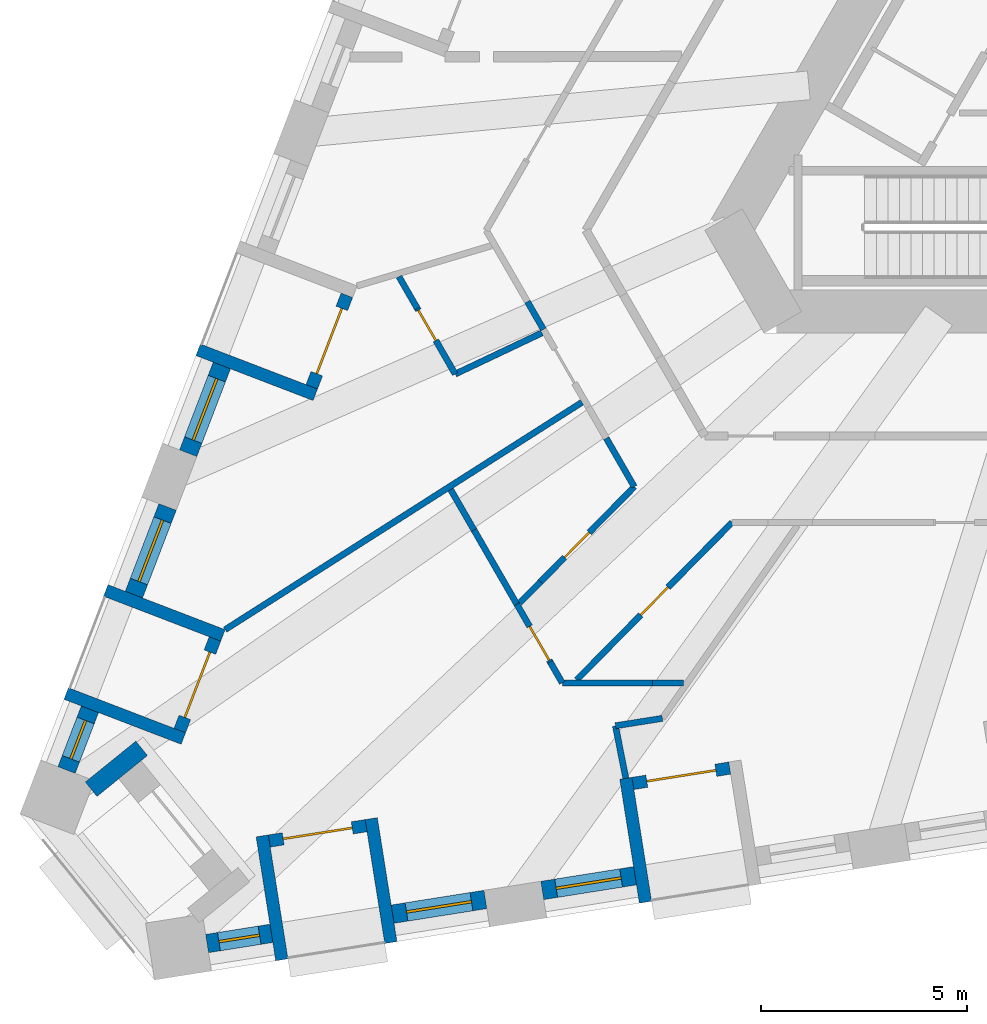
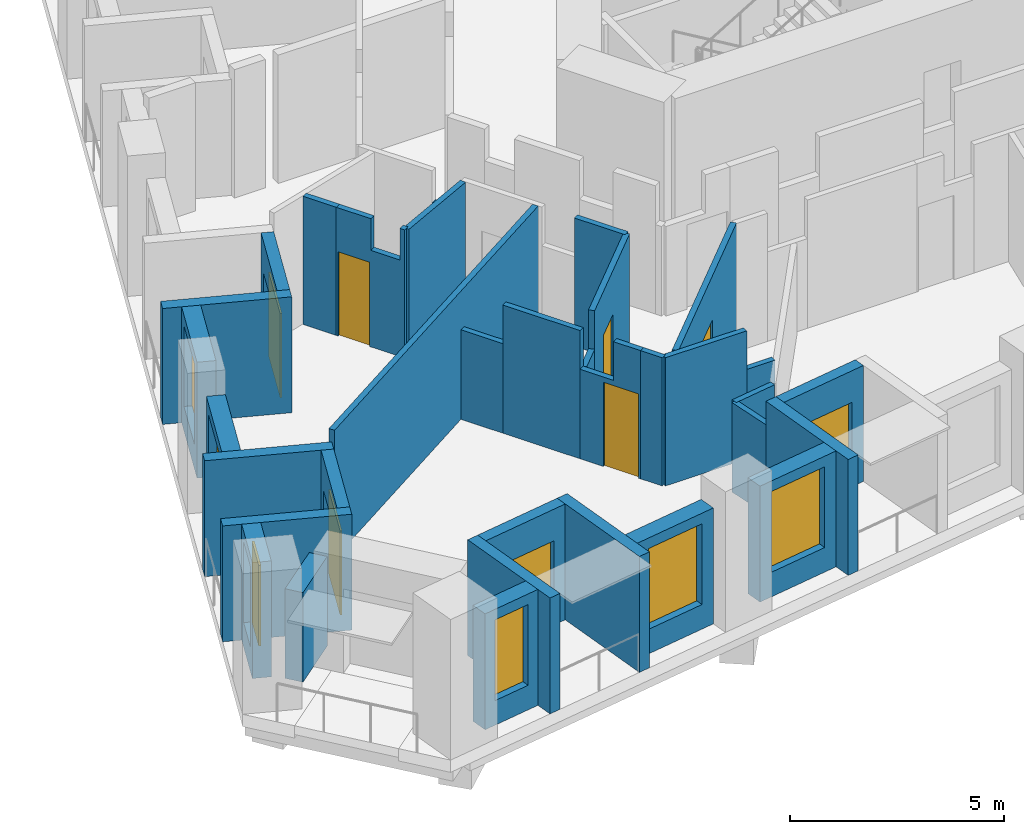
# One storey, part 2 of 14: 34 walls, 8 doors, 6 windows, 14 openings.
"""IFC4 building model written with IfcOpenShell, lengths in metres."""

from ifc_helpers import new_model, si_unit, direction, frame, frame_2d, origin, place, context, subcontext, project, spatial, polyline, rectangle, outline, extrude, material, layer, layer_set, type_object, element, fill, save


model = new_model("IFC4")

# Units and contexts
model_context = context("Model", 3, precision=1e-05, world=origin(), true_north=direction((0.0, 1.0)))
body_context = subcontext(model_context, "Body", "Model", "MODEL_VIEW")
ifc_project = project(units=[si_unit("LENGTHUNIT", "METRE"), si_unit("AREAUNIT", "SQUARE_METRE"), si_unit("VOLUMEUNIT", "CUBIC_METRE"), si_unit("PLANEANGLEUNIT", "RADIAN"), si_unit("MASSUNIT", "GRAM", prefix="KILO")], contexts=[model_context])

# Site, building, storey
site_placement = place(None, origin())
site = spatial("IfcSite", under=ifc_project, at=site_placement, CompositionType="ELEMENT")
building_placement = place(site_placement, origin())
building = spatial("IfcBuilding", under=site, at=building_placement, Name="Tramontana Tower", CompositionType="ELEMENT")
storey_placement = place(building_placement, frame((0.0, 0.0, 63.199951171875)))
storey = spatial("IfcBuildingStorey", under=building, at=storey_placement, Name="L13", CompositionType="ELEMENT", Elevation=63.199951171875)

# Wall, opening, window
ifc_material_1 = material(Name="Precast concrete 60 MPa", Category="concrete")
ifc_layer_1 = layer(ifc_material_1, 0.449951171875)
ifc_layer_set_1 = layer_set([ifc_layer_1], Name="Precast concrete 60 MPa, 450 mm")
wall_type_1 = type_object("IfcWallType", Name="EW1 Stone-faced precast wall 450", PredefinedType="SOLIDWALL", material=ifc_layer_set_1)
wall_1_placement = place(storey_placement, frame((-21.986083984375, -7.536376953125, 0.0), z_axis=(0.0, 0.0, 1.0), x_axis=(-0.358355550725, -0.933585185864, 0.0)))
wall_1 = element("IfcWall", 1, at=wall_1_placement, inside=storey, type_object=wall_type_1, Name="External wall L13 face 0 bay 5", PredefinedType="SOLIDWALL", context=body_context, shape_type="SweptSolid", body=[
    extrude(rectangle(XDim=2.282958984375, YDim=0.449951171875, at=frame_2d((1.1416015625, 0.0))), origin(), (0.0, 0.0, 1.0), 3.300048828125),
])
opening_1_placement = place(wall_1_placement, frame((0.341552734375, 0.0, 0.699951171875)))
opening_1 = element("IfcOpeningElement", 2, at=opening_1_placement, cuts=wall_1, Name="Opening M1", PredefinedType="OPENING", context=body_context, shape_type="SweptSolid", body=[
    extrude(rectangle(XDim=1.60009765625, YDim=2.300048828125, at=frame_2d((0.800048828125, 1.14990234375))), frame((0.0, 0.23486328125, 0.0), z_axis=(0.0, -1.0, 0.0), x_axis=(1.0, 0.0, 0.0)), (0.0, 0.0, 1.0), 0.469970703125),
])
ifc_material_2 = material(Name="Aluminum frame, double glazing unit", Category="aluminium")
window_type_1 = type_object("IfcWindowType", Name="M1 Window 1.6 x 2.3", PartitioningType="SINGLE_PANEL", PredefinedType="WINDOW", material=ifc_material_2)
window_1_placement = place(opening_1_placement, origin())
window_1 = element("IfcWindow", 3, at=window_1_placement, inside=storey, type_object=window_type_1, Name="Window M1 L13 face 0 module 15", OverallHeight=2.300048828125, OverallWidth=1.60009765625, PartitioningType="SINGLE_PANEL", PredefinedType="WINDOW", context=body_context, shape_type="SweptSolid", body=[
    extrude(rectangle(XDim=1.60009765625, YDim=2.300048828125, at=frame_2d((0.800048828125, 1.14990234375))), frame((0.0, 0.030029296875, 0.0), z_axis=(0.0, -1.0, 0.0), x_axis=(1.0, 0.0, 0.0)), (0.0, 0.0, 1.0), 0.06005859375),
])
fill(opening_1, window_1)

wall_2_placement = place(storey_placement, frame((-23.305908203125, -10.974609375, 0.0), z_axis=(0.0, 0.0, 1.0), x_axis=(-0.358355550725, -0.933585185864, 0.0)))
wall_2 = element("IfcWall", 4, at=wall_2_placement, inside=storey, type_object=wall_type_1, Name="External wall L13 face 0 bay 6", PredefinedType="SOLIDWALL", context=body_context, shape_type="SweptSolid", body=[
    extrude(rectangle(XDim=2.282958984375, YDim=0.449951171875, at=frame_2d((1.1416015625, 0.0))), origin(), (0.0, 0.0, 1.0), 3.300048828125),
])
opening_2_placement = place(wall_2_placement, frame((0.341552734375, 0.0, 0.699951171875)))
opening_2 = element("IfcOpeningElement", 5, at=opening_2_placement, cuts=wall_2, Name="Opening M1", PredefinedType="OPENING", context=body_context, shape_type="SweptSolid", body=[
    extrude(rectangle(XDim=1.60009765625, YDim=2.300048828125, at=frame_2d((0.800048828125, 1.14990234375))), frame((0.0, 0.23486328125, 0.0), z_axis=(0.0, -1.0, 0.0), x_axis=(1.0, 0.0, 0.0)), (0.0, 0.0, 1.0), 0.469970703125),
])
window_2_placement = place(opening_2_placement, origin())
window_2 = element("IfcWindow", 6, at=window_2_placement, inside=storey, type_object=window_type_1, Name="Window M1 L13 face 0 module 16", OverallHeight=2.300048828125, OverallWidth=1.60009765625, PartitioningType="SINGLE_PANEL", PredefinedType="WINDOW", context=body_context, shape_type="SweptSolid", body=[
    extrude(rectangle(XDim=1.60009765625, YDim=2.300048828125, at=frame_2d((0.800048828125, 1.14990234375))), frame((0.0, 0.030029296875, 0.0), z_axis=(0.0, -1.0, 0.0), x_axis=(1.0, 0.0, 0.0)), (0.0, 0.0, 1.0), 0.06005859375),
])
fill(opening_2, window_2)

wall_3_placement = place(storey_placement, frame((-25.193115234375, -15.890869140625, 0.0), z_axis=(0.0, 0.0, 1.0), x_axis=(-0.358431261356, -0.933556120907, 0.0)))
wall_3 = element("IfcWall", 7, at=wall_3_placement, inside=storey, type_object=wall_type_1, Name="External wall L13 face 0 bay 6", PredefinedType="SOLIDWALL", context=body_context, shape_type="SweptSolid", body=[
    extrude(rectangle(XDim=1.5830078125, YDim=0.449951171875, at=frame_2d((0.79150390625, 0.0))), origin(), (0.0, 0.0, 1.0), 3.300048828125),
])
opening_3_placement = place(wall_3_placement, frame((0.29150390625, 0.0, 0.699951171875)))
opening_3 = element("IfcOpeningElement", 8, at=opening_3_placement, cuts=wall_3, Name="Opening N1", PredefinedType="OPENING", context=body_context, shape_type="SweptSolid", body=[
    extrude(rectangle(XDim=1.0, YDim=2.300048828125, at=frame_2d((0.5, 1.14990234375))), frame((0.0, 0.23486328125, 0.0), z_axis=(0.0, -1.0, 0.0), x_axis=(1.0, 0.0, 0.0)), (0.0, 0.0, 1.0), 0.469970703125),
])
ifc_material_3 = material(Name="Aluminum frame, double glazing unit", Category="aluminium")
window_type_2 = type_object("IfcWindowType", Name="N1 Window 1 x 2.3", PartitioningType="SINGLE_PANEL", PredefinedType="WINDOW", material=ifc_material_3)
window_3_placement = place(opening_3_placement, origin())
window_3 = element("IfcWindow", 9, at=window_3_placement, inside=storey, type_object=window_type_2, Name="Window N1 L13 face 0 module 18", OverallHeight=2.300048828125, OverallWidth=1.0, PartitioningType="SINGLE_PANEL", PredefinedType="WINDOW", context=body_context, shape_type="SweptSolid", body=[
    extrude(rectangle(XDim=1.0, YDim=2.300048828125, at=frame_2d((0.5, 1.14990234375))), frame((0.0, 0.030029296875, 0.0), z_axis=(0.0, -1.0, 0.0), x_axis=(1.0, 0.0, 0.0)), (0.0, 0.0, 1.0), 0.06005859375),
])
fill(opening_3, window_3)

wall_4_placement = place(storey_placement, frame((-22.344970703125, -21.586181640625, 0.0), z_axis=(0.0, 0.0, 1.0), x_axis=(0.987695344573, 0.156390237257, 0.0)))
wall_4 = element("IfcWall", 10, at=wall_4_placement, inside=storey, type_object=wall_type_1, Name="External wall L13 face 1 bay 1", PredefinedType="SOLIDWALL", context=body_context, shape_type="SweptSolid", body=[
    extrude(rectangle(XDim=1.5830078125, YDim=0.449951171875, at=frame_2d((0.79150390625, 0.0))), origin(), (0.0, 0.0, 1.0), 3.300048828125),
])
opening_4_placement = place(wall_4_placement, frame((0.29150390625, 0.0, 0.699951171875)))
opening_4 = element("IfcOpeningElement", 11, at=opening_4_placement, cuts=wall_4, Name="Opening N1", PredefinedType="OPENING", context=body_context, shape_type="SweptSolid", body=[
    extrude(rectangle(XDim=1.0, YDim=2.300048828125, at=frame_2d((0.5, 1.14990234375))), frame((0.0, 0.23486328125, 0.0), z_axis=(0.0, -1.0, 0.0), x_axis=(1.0, 0.0, 0.0)), (0.0, 0.0, 1.0), 0.469970703125),
])
window_4_placement = place(opening_4_placement, origin())
window_4 = element("IfcWindow", 12, at=window_4_placement, inside=storey, type_object=window_type_2, Name="Window N1 L13 face 1 module 1", OverallHeight=2.300048828125, OverallWidth=1.0, PartitioningType="SINGLE_PANEL", PredefinedType="WINDOW", context=body_context, shape_type="SweptSolid", body=[
    extrude(rectangle(XDim=1.0, YDim=2.300048828125, at=frame_2d((0.5, 1.14990234375))), frame((0.0, 0.030029296875, 0.0), z_axis=(0.0, -1.0, 0.0), x_axis=(1.0, 0.0, 0.0)), (0.0, 0.0, 1.0), 0.06005859375),
])
fill(opening_4, window_4)

wall_5_placement = place(storey_placement, frame((-17.835205078125, -20.8720703125, 0.0), z_axis=(0.0, 0.0, 1.0), x_axis=(0.987685675151, 0.156451293065, 0.0)))
wall_5 = element("IfcWall", 13, at=wall_5_placement, inside=storey, type_object=wall_type_1, Name="External wall L13 face 1 bay 1", PredefinedType="SOLIDWALL", context=body_context, shape_type="SweptSolid", body=[
    extrude(rectangle(XDim=2.282958984375, YDim=0.449951171875, at=frame_2d((1.1416015625, 0.0))), origin(), (0.0, 0.0, 1.0), 3.300048828125),
])
opening_5_placement = place(wall_5_placement, frame((0.341552734375, 0.0, 0.699951171875)))
opening_5 = element("IfcOpeningElement", 14, at=opening_5_placement, cuts=wall_5, Name="Opening M1", PredefinedType="OPENING", context=body_context, shape_type="SweptSolid", body=[
    extrude(rectangle(XDim=1.60009765625, YDim=2.300048828125, at=frame_2d((0.800048828125, 1.14990234375))), frame((0.0, 0.23486328125, 0.0), z_axis=(0.0, -1.0, 0.0), x_axis=(1.0, 0.0, 0.0)), (0.0, 0.0, 1.0), 0.469970703125),
])
window_5_placement = place(opening_5_placement, origin())
window_5 = element("IfcWindow", 15, at=window_5_placement, inside=storey, type_object=window_type_1, Name="Window M1 L13 face 1 module 3", OverallHeight=2.300048828125, OverallWidth=1.60009765625, PartitioningType="SINGLE_PANEL", PredefinedType="WINDOW", context=body_context, shape_type="SweptSolid", body=[
    extrude(rectangle(XDim=1.60009765625, YDim=2.300048828125, at=frame_2d((0.800048828125, 1.14990234375))), frame((0.0, 0.030029296875, 0.0), z_axis=(0.0, -1.0, 0.0), x_axis=(1.0, 0.0, 0.0)), (0.0, 0.0, 1.0), 0.06005859375),
])
fill(opening_5, window_5)

wall_6_placement = place(storey_placement, frame((-14.19775390625, -20.2958984375, 0.0), z_axis=(0.0, 0.0, 1.0), x_axis=(0.987685675151, 0.156451293065, 0.0)))
wall_6 = element("IfcWall", 16, at=wall_6_placement, inside=storey, type_object=wall_type_1, Name="External wall L13 face 1 bay 2", PredefinedType="SOLIDWALL", context=body_context, shape_type="SweptSolid", body=[
    extrude(rectangle(XDim=2.282958984375, YDim=0.449951171875, at=frame_2d((1.1416015625, 0.0))), origin(), (0.0, 0.0, 1.0), 3.300048828125),
])
opening_6_placement = place(wall_6_placement, frame((0.341552734375, 0.0, 0.699951171875)))
opening_6 = element("IfcOpeningElement", 17, at=opening_6_placement, cuts=wall_6, Name="Opening M1", PredefinedType="OPENING", context=body_context, shape_type="SweptSolid", body=[
    extrude(rectangle(XDim=1.60009765625, YDim=2.300048828125, at=frame_2d((0.800048828125, 1.14990234375))), frame((0.0, 0.23486328125, 0.0), z_axis=(0.0, -1.0, 0.0), x_axis=(1.0, 0.0, 0.0)), (0.0, 0.0, 1.0), 0.469970703125),
])
window_6_placement = place(opening_6_placement, origin())
window_6 = element("IfcWindow", 18, at=window_6_placement, inside=storey, type_object=window_type_1, Name="Window M1 L13 face 1 module 4", OverallHeight=2.300048828125, OverallWidth=1.60009765625, PartitioningType="SINGLE_PANEL", PredefinedType="WINDOW", context=body_context, shape_type="SweptSolid", body=[
    extrude(rectangle(XDim=1.60009765625, YDim=2.300048828125, at=frame_2d((0.800048828125, 1.14990234375))), frame((0.0, 0.030029296875, 0.0), z_axis=(0.0, -1.0, 0.0), x_axis=(1.0, 0.0, 0.0)), (0.0, 0.0, 1.0), 0.06005859375),
])
fill(opening_6, window_6)

# Wall
wall_7_placement = place(storey_placement, frame((-25.162841796875, -17.835205078125, 0.0), z_axis=(0.0, 0.0, 1.0), x_axis=(0.777129655516, 0.629340526677, 0.0)))
element("IfcWall", 19, at=wall_7_placement, inside=storey, type_object=wall_type_1, Name="Corner loggia side wall L13 K11r", PredefinedType="SOLIDWALL", context=body_context, shape_type="SweptSolid", body=[
    extrude(rectangle(XDim=1.579345703125, YDim=0.449951171875, at=frame_2d((0.78955078125, 0.0))), origin(), (0.0, 0.0, 1.0), 2.550048828125),
])

# Wall, opening, door
ifc_material_4 = material(Name="Precast concrete 60 MPa", Category="concrete")
ifc_layer_2 = layer(ifc_material_4, 0.300048828125)
ifc_layer_set_2 = layer_set([ifc_layer_2], Name="LW1 Stone-faced loggia wall 300")
wall_type_2 = type_object("IfcWallType", Name="LW1 Stone-faced loggia wall 300", PredefinedType="SOLIDWALL", material=ifc_layer_set_2)
wall_8_placement = place(storey_placement, frame((-18.947265625, -5.828857421875, 0.0), z_axis=(0.0, 0.0, 1.0), x_axis=(-0.358354292693, -0.933585668757, 0.0)))
wall_8 = element("IfcWall", 20, at=wall_8_placement, inside=storey, type_object=wall_type_2, Name="Loggia wall L13 G1S0.13", PredefinedType="SOLIDWALL", context=body_context, shape_type="SweptSolid", body=[
    extrude(rectangle(XDim=2.383056640625, YDim=0.300048828125, at=frame_2d((1.19140625, 0.0))), origin(), (0.0, 0.0, 1.0), 3.300048828125),
])
opening_7_placement = place(wall_8_placement, frame((0.341552734375, 0.0, 0.0)))
opening_7 = element("IfcOpeningElement", 21, at=opening_7_placement, cuts=wall_8, Name="Opening BD-1S0-13", PredefinedType="OPENING", context=body_context, shape_type="SweptSolid", body=[
    extrude(rectangle(XDim=1.699951171875, YDim=2.39990234375, at=frame_2d((0.85009765625, 1.199951171875))), frame((0.0, 0.159912109375, 0.0), z_axis=(0.0, -1.0, 0.0), x_axis=(1.0, 0.0, 0.0)), (0.0, 0.0, 1.0), 0.320068359375),
])
ifc_material_5 = material(Name="Aluminum frame, double glazing unit", Category="aluminium")
door_type_1 = type_object("IfcDoorType", Name="BD1 Sliding door 1.7 x 2.4", OperationType="SLIDING_TO_LEFT", PredefinedType="DOOR", material=ifc_material_5)
door_1_placement = place(opening_7_placement, origin())
door_1 = element("IfcDoor", 22, at=door_1_placement, inside=storey, type_object=door_type_1, Name="Loggia door L13 G1S0.13", OperationType="SLIDING_TO_LEFT", OverallHeight=2.39990234375, OverallWidth=1.699951171875, PredefinedType="DOOR", context=body_context, shape_type="SweptSolid", body=[
    extrude(rectangle(XDim=1.699951171875, YDim=2.39990234375, at=frame_2d((0.85009765625, 1.199951171875))), frame((0.0, 0.02490234375, 0.0), z_axis=(0.0, -1.0, 0.0), x_axis=(1.0, 0.0, 0.0)), (0.0, 0.0, 1.0), 0.050048828125),
])
fill(opening_7, door_1)

# Wall
wall_9_placement = place(storey_placement, frame((-22.5625, -7.154296875, 0.0), z_axis=(0.0, 0.0, 1.0), x_axis=(0.933580593625, -0.358367514161, 0.0)))
element("IfcWall", 23, at=wall_9_placement, inside=storey, type_object=wall_type_2, Name="Loggia return L13 G1S0.13b", PredefinedType="SOLIDWALL", context=body_context, shape_type="SweptSolid", body=[
    extrude(rectangle(XDim=3.050048828125, YDim=0.300048828125, at=frame_2d((1.52490234375, 0.0))), origin(), (0.0, 0.0, 1.0), 3.300048828125),
])

# Wall, opening, door
wall_10_placement = place(storey_placement, frame((-22.154296875, -14.18359375, 0.0), z_axis=(0.0, 0.0, 1.0), x_axis=(-0.35838856932, -0.933572511046, 0.0)))
wall_10 = element("IfcWall", 24, at=wall_10_placement, inside=storey, type_object=wall_type_2, Name="Loggia wall L13 G1S0.16", PredefinedType="SOLIDWALL", context=body_context, shape_type="SweptSolid", body=[
    extrude(rectangle(XDim=2.3828125, YDim=0.300048828125, at=frame_2d((1.19140625, 0.0))), origin(), (0.0, 0.0, 1.0), 3.300048828125),
])
opening_8_placement = place(wall_10_placement, frame((0.341552734375, 0.0, 0.0)))
opening_8 = element("IfcOpeningElement", 25, at=opening_8_placement, cuts=wall_10, Name="Opening BD-1S0-16", PredefinedType="OPENING", context=body_context, shape_type="SweptSolid", body=[
    extrude(rectangle(XDim=1.699951171875, YDim=2.39990234375, at=frame_2d((0.85009765625, 1.199951171875))), frame((0.0, 0.159912109375, 0.0), z_axis=(0.0, -1.0, 0.0), x_axis=(1.0, 0.0, 0.0)), (0.0, 0.0, 1.0), 0.320068359375),
])
door_2_placement = place(opening_8_placement, origin())
door_2 = element("IfcDoor", 26, at=door_2_placement, inside=storey, type_object=door_type_1, Name="Loggia door L13 G1S0.16", OperationType="SLIDING_TO_LEFT", OverallHeight=2.39990234375, OverallWidth=1.699951171875, PredefinedType="DOOR", context=body_context, shape_type="SweptSolid", body=[
    extrude(rectangle(XDim=1.699951171875, YDim=2.39990234375, at=frame_2d((0.85009765625, 1.199951171875))), frame((0.0, 0.02490234375, 0.0), z_axis=(0.0, -1.0, 0.0), x_axis=(1.0, 0.0, 0.0)), (0.0, 0.0, 1.0), 0.050048828125),
])
fill(opening_8, door_2)

# Walls
for number, where, z_axis, x_axis, name in (
    (27, (-24.80810546875, -13.004150390625, 0.0), (0.0, 0.0, 1.0), (0.933580593625, -0.358367514161, 0.0), "Loggia return L13 G1S0.16a"),
    (28, (-25.76953125, -15.509033203125, 0.0), (0.0, 0.0, 1.0), (0.933580593625, -0.358367514161, 0.0), "Loggia return L13 G1S0.16b"),
):
    element("IfcWall", number, at=place(storey_placement, frame(where, z_axis=z_axis, x_axis=x_axis)), inside=storey, type_object=wall_type_2, Name=name, PredefinedType="SOLIDWALL", context=body_context, shape_type="SweptSolid", body=[
        extrude(rectangle(XDim=3.050048828125, YDim=0.300048828125, at=frame_2d((1.52490234375, 0.0))), origin(), (0.0, 0.0, 1.0), 3.300048828125),
    ])

# Wall, opening, door
wall_11_placement = place(storey_placement, frame((-20.833251953125, -19.09423828125, 0.0), z_axis=(0.0, 0.0, 1.0), x_axis=(0.987685586014, 0.156451855793, 0.0)))
wall_11 = element("IfcWall", 29, at=wall_11_placement, inside=storey, type_object=wall_type_2, Name="Loggia wall L13 G1S1.1", PredefinedType="SOLIDWALL", context=body_context, shape_type="SweptSolid", body=[
    extrude(rectangle(XDim=2.3828125, YDim=0.300048828125, at=frame_2d((1.19140625, 0.0))), origin(), (0.0, 0.0, 1.0), 3.300048828125),
])
opening_9_placement = place(wall_11_placement, frame((0.341552734375, 0.0, 0.0)))
opening_9 = element("IfcOpeningElement", 30, at=opening_9_placement, cuts=wall_11, Name="Opening BD-1S1-01", PredefinedType="OPENING", context=body_context, shape_type="SweptSolid", body=[
    extrude(rectangle(XDim=1.699951171875, YDim=2.39990234375, at=frame_2d((0.85009765625, 1.199951171875))), frame((0.0, 0.159912109375, 0.0), z_axis=(0.0, -1.0, 0.0), x_axis=(1.0, 0.0, 0.0)), (0.0, 0.0, 1.0), 0.320068359375),
])
door_3_placement = place(opening_9_placement, origin())
door_3 = element("IfcDoor", 31, at=door_3_placement, inside=storey, type_object=door_type_1, Name="Loggia door L13 G1S1.1", OperationType="SLIDING_TO_LEFT", OverallHeight=2.39990234375, OverallWidth=1.699951171875, PredefinedType="DOOR", context=body_context, shape_type="SweptSolid", body=[
    extrude(rectangle(XDim=1.699951171875, YDim=2.39990234375, at=frame_2d((0.85009765625, 1.199951171875))), frame((0.0, 0.02490234375, 0.0), z_axis=(0.0, -1.0, 0.0), x_axis=(1.0, 0.0, 0.0)), (0.0, 0.0, 1.0), 0.050048828125),
])
fill(opening_9, door_3)

# Walls
for number, where, z_axis, x_axis, name in (
    (32, (-20.52783203125, -21.98193359375, 0.0), (0.0, 0.0, 1.0), (-0.156410600741, 0.987692120033, 0.0), "Loggia return L13 G1S1.1a"),
    (33, (-17.8779296875, -21.562255859375, 0.0), (0.0, 0.0, 1.0), (-0.156410600741, 0.987692120033, 0.0), "Loggia return L13 G1S1.1b"),
):
    element("IfcWall", number, at=place(storey_placement, frame(where, z_axis=z_axis, x_axis=x_axis)), inside=storey, type_object=wall_type_2, Name=name, PredefinedType="SOLIDWALL", context=body_context, shape_type="SweptSolid", body=[
        extrude(rectangle(XDim=3.050048828125, YDim=0.300048828125, at=frame_2d((1.52490234375, 0.0))), origin(), (0.0, 0.0, 1.0), 3.300048828125),
    ])

# Wall, opening, door
wall_12_placement = place(storey_placement, frame((-11.99462890625, -17.694091796875, 0.0), z_axis=(0.0, 0.0, 1.0), x_axis=(0.98770391772, 0.156336083232, 0.0)))
wall_12 = element("IfcWall", 34, at=wall_12_placement, inside=storey, type_object=wall_type_2, Name="Loggia wall L13 G1S1.4", PredefinedType="SOLIDWALL", context=body_context, shape_type="SweptSolid", body=[
    extrude(rectangle(XDim=2.383056640625, YDim=0.300048828125, at=frame_2d((1.19140625, 0.0))), origin(), (0.0, 0.0, 1.0), 3.300048828125),
])
opening_10_placement = place(wall_12_placement, frame((0.341552734375, 0.0, 0.0)))
opening_10 = element("IfcOpeningElement", 35, at=opening_10_placement, cuts=wall_12, Name="Opening BD-1S1-04", PredefinedType="OPENING", context=body_context, shape_type="SweptSolid", body=[
    extrude(rectangle(XDim=1.699951171875, YDim=2.39990234375, at=frame_2d((0.85009765625, 1.199951171875))), frame((0.0, 0.159912109375, 0.0), z_axis=(0.0, -1.0, 0.0), x_axis=(1.0, 0.0, 0.0)), (0.0, 0.0, 1.0), 0.320068359375),
])
door_4_placement = place(opening_10_placement, origin())
door_4 = element("IfcDoor", 36, at=door_4_placement, inside=storey, type_object=door_type_1, Name="Loggia door L13 G1S1.4", OperationType="SLIDING_TO_LEFT", OverallHeight=2.39990234375, OverallWidth=1.699951171875, PredefinedType="DOOR", context=body_context, shape_type="SweptSolid", body=[
    extrude(rectangle(XDim=1.699951171875, YDim=2.39990234375, at=frame_2d((0.85009765625, 1.199951171875))), frame((0.0, 0.02490234375, 0.0), z_axis=(0.0, -1.0, 0.0), x_axis=(1.0, 0.0, 0.0)), (0.0, 0.0, 1.0), 0.050048828125),
])
fill(opening_10, door_4)

# Walls
wall_13_placement = place(storey_placement, frame((-11.68896484375, -20.58203125, 0.0), z_axis=(0.0, 0.0, 1.0), x_axis=(-0.156488687365, 0.987679751097, 0.0)))
element("IfcWall", 37, at=wall_13_placement, inside=storey, type_object=wall_type_2, Name="Loggia return L13 G1S1.4a", PredefinedType="SOLIDWALL", context=body_context, shape_type="SweptSolid", body=[
    extrude(rectangle(XDim=3.050048828125, YDim=0.300048828125, at=frame_2d((1.52490234375, 0.0))), origin(), (0.0, 0.0, 1.0), 3.300048828125),
])
ifc_material_6 = material(Name="Gypsum board partition")
ifc_layer_3 = layer(ifc_material_6, 0.14990234375)
ifc_layer_set_3 = layer_set([ifc_layer_3], Name="PARTITION 150")
wall_type_3 = type_object("IfcWallType", Name="PARTITION 150", PredefinedType="PARTITIONING", material=ifc_layer_set_3)
wall_14_placement = place(storey_placement, frame((-21.90673828125, -13.95703125, 0.0), z_axis=(0.0, 0.0, 1.0), x_axis=(0.843381833226, 0.537314696789, 0.0)))
element("IfcWall", 38, at=wall_14_placement, inside=storey, type_object=wall_type_3, Name="Wall v11-pw00", PredefinedType="PARTITIONING", context=body_context, shape_type="SweptSolid", body=[
    extrude(rectangle(XDim=10.28515625, YDim=0.14990234375, at=frame_2d((5.142578125, 0.0))), origin(), (0.0, 0.0, 1.0), 3.650146484375),
])

# Wall, opening, door
wall_15_placement = place(storey_placement, frame((-17.23486328125, -6.1484375, 0.0), z_axis=(0.0, 0.0, 1.0), x_axis=(0.500001589341, -0.866024486176, 0.0)))
wall_15 = element("IfcWall", 39, at=wall_15_placement, inside=storey, type_object=wall_type_3, Name="Wall v11-pw03-0", PredefinedType="PARTITIONING", context=body_context, shape_type="SweptSolid", body=[
    extrude(outline(polyline([(0.0, 0.0), (1.84228515625, 0.0), (1.84228515625, 3.650146484375), (1.713623046875, 3.650146484375), (1.713623046875, 2.75), (0.93408203125, 2.75), (0.93408203125, 3.650146484375), (0.0, 3.650146484375), (0.0, 0.0)])), frame((0.0, 0.074951171875, 0.0), z_axis=(0.0, -1.0, 0.0), x_axis=(1.0, 0.0, 0.0)), (0.0, 0.0, 1.0), 0.14990234375),
])
opening_11_placement = place(wall_15_placement, frame((0.050048828125, 0.0, 0.0)))
opening_11 = element("IfcOpeningElement", 40, at=opening_11_placement, cuts=wall_15, Name="Opening B1B-18", PredefinedType="OPENING", context=body_context, shape_type="SweptSolid", body=[
    extrude(rectangle(XDim=0.85009765625, YDim=2.39990234375, at=frame_2d((0.425048828125, 1.199951171875))), frame((0.0, 0.0849609375, 0.0), z_axis=(0.0, -1.0, 0.0), x_axis=(1.0, 0.0, 0.0)), (0.0, 0.0, 1.0), 0.169921875),
])
ifc_material_7 = material(Name="Painted timber", Category="wood")
door_type_2 = type_object("IfcDoorType", Name="DOOR BATH 850", OperationType="SINGLE_SWING_LEFT", PredefinedType="DOOR", material=ifc_material_7)
door_5_placement = place(opening_11_placement, origin())
door_5 = element("IfcDoor", 41, at=door_5_placement, inside=storey, type_object=door_type_2, Name="Door B1B-18", OperationType="SINGLE_SWING_RIGHT", OverallHeight=2.39990234375, OverallWidth=0.85009765625, PredefinedType="DOOR", context=body_context, shape_type="SweptSolid", body=[
    extrude(rectangle(XDim=0.85009765625, YDim=2.39990234375, at=frame_2d((0.425048828125, 1.199951171875))), frame((0.0, 0.02490234375, 0.0), z_axis=(0.0, -1.0, 0.0), x_axis=(1.0, 0.0, 0.0)), (0.0, 0.0, 1.0), 0.050048828125),
])
fill(opening_11, door_5)

# Walls
wall_16_placement = place(storey_placement, frame((-17.23486328125, -6.1484375, 0.0), z_axis=(0.0, 0.0, 1.0), x_axis=(-0.499935638681, 0.86606255962, 0.0)))
element("IfcWall", 42, at=wall_16_placement, inside=storey, type_object=wall_type_3, Name="Wall v11-pw03-1", PredefinedType="PARTITIONING", context=body_context, shape_type="SweptSolid", body=[
    extrude(rectangle(XDim=0.89208984375, YDim=0.14990234375, at=frame_2d((0.446044921875, 0.0))), origin(), (0.0, 0.0, 1.0), 3.650146484375),
])
wall_17_placement = place(storey_placement, frame((-14.7470703125, -13.307373046875, 0.0), z_axis=(0.0, 0.0, 1.0), x_axis=(0.702386148925, 0.711796106901, 0.0)))
element("IfcWall", 43, at=wall_17_placement, inside=storey, type_object=wall_type_3, Name="Wall v11-pw06-0", PredefinedType="PARTITIONING", context=body_context, shape_type="SweptSolid", body=[
    extrude(rectangle(XDim=0.7265625, YDim=0.14990234375, at=frame_2d((0.36328125, 0.0))), origin(), (0.0, 0.0, 1.0), 2.550048828125),
])

# Wall, opening, door
wall_18_placement = place(storey_placement, frame((-14.23681640625, -12.790283203125, 0.0), z_axis=(0.0, 0.0, 1.0), x_axis=(0.702344771422, 0.711836935018, 0.0)))
wall_18 = element("IfcWall", 44, at=wall_18_placement, inside=storey, type_object=wall_type_3, Name="Wall v11-pw06-1", PredefinedType="PARTITIONING", context=body_context, shape_type="SweptSolid", body=[
    extrude(rectangle(XDim=3.24072265625, YDim=0.14990234375, at=frame_2d((1.620361328125, 0.0))), origin(), (0.0, 0.0, 1.0), 3.650146484375),
])
opening_12_placement = place(wall_18_placement, frame((0.832275390625, 0.0, 0.0)))
opening_12 = element("IfcOpeningElement", 45, at=opening_12_placement, cuts=wall_18, Name="Opening B1B-13", PredefinedType="OPENING", context=body_context, shape_type="SweptSolid", body=[
    extrude(rectangle(XDim=0.85009765625, YDim=2.39990234375, at=frame_2d((0.425048828125, 1.199951171875))), frame((0.0, 0.0849609375, 0.0), z_axis=(0.0, -1.0, 0.0), x_axis=(1.0, 0.0, 0.0)), (0.0, 0.0, 1.0), 0.169921875),
])
door_6_placement = place(opening_12_placement, origin())
door_6 = element("IfcDoor", 46, at=door_6_placement, inside=storey, type_object=door_type_2, Name="Door B1B-13", OperationType="SINGLE_SWING_LEFT", OverallHeight=2.39990234375, OverallWidth=0.85009765625, PredefinedType="DOOR", context=body_context, shape_type="SweptSolid", body=[
    extrude(rectangle(XDim=0.85009765625, YDim=2.39990234375, at=frame_2d((0.425048828125, 1.199951171875))), frame((0.0, 0.02490234375, 0.0), z_axis=(0.0, -1.0, 0.0), x_axis=(1.0, 0.0, 0.0)), (0.0, 0.0, 1.0), 0.050048828125),
])
fill(opening_12, door_6)

# Walls
wall_19_placement = place(storey_placement, frame((-14.20654296875, -6.74365234375, 0.0), z_axis=(0.0, 0.0, 1.0), x_axis=(-0.903388013423, -0.428824086548, 0.0)))
element("IfcWall", 47, at=wall_19_placement, inside=storey, type_object=wall_type_3, Name="Wall v11-pw07", PredefinedType="PARTITIONING", context=body_context, shape_type="SweptSolid", body=[
    extrude(rectangle(XDim=2.33251953125, YDim=0.14990234375, at=frame_2d((1.166259765625, 0.0))), origin(), (0.0, 0.0, 1.0), 3.650146484375),
])
wall_20_placement = place(storey_placement, frame((-13.712158203125, -15.25, 0.0), z_axis=(0.0, 0.0, 1.0), x_axis=(-0.499867053809, 0.866102146699, 0.0)))
element("IfcWall", 48, at=wall_20_placement, inside=storey, type_object=wall_type_3, Name="Wall v11-pw08-0", PredefinedType="PARTITIONING", context=body_context, shape_type="SweptSolid", body=[
    extrude(rectangle(XDim=0.584716796875, YDim=0.14990234375, at=frame_2d((0.29248046875, 0.0))), origin(), (0.0, 0.0, 1.0), 3.650146484375),
])

# Wall, opening, door
wall_21_placement = place(storey_placement, frame((-14.00439453125, -14.74365234375, 0.0), z_axis=(0.0, 0.0, 1.0), x_axis=(-0.499999813892, 0.866025511234, 0.0)))
wall_21 = element("IfcWall", 49, at=wall_21_placement, inside=storey, type_object=wall_type_3, Name="Wall v11-pw08-1", PredefinedType="PARTITIONING", context=body_context, shape_type="SweptSolid", body=[
    extrude(outline(polyline([(0.0, 0.0), (1.62548828125, 0.0), (1.62548828125, 2.550048828125), (0.7265625, 2.550048828125), (0.7265625, 3.650146484375), (0.0, 3.650146484375), (0.0, 0.0)])), frame((0.0, 0.074951171875, 0.0), z_axis=(0.0, -1.0, 0.0), x_axis=(1.0, 0.0, 0.0)), (0.0, 0.0, 1.0), 0.14990234375),
])
opening_13_placement = place(wall_21_placement, frame((0.050048828125, 0.0, 0.0)))
opening_13 = element("IfcOpeningElement", 50, at=opening_13_placement, cuts=wall_21, Name="Opening B1B-14", PredefinedType="OPENING", context=body_context, shape_type="SweptSolid", body=[
    extrude(rectangle(XDim=0.949951171875, YDim=2.39990234375, at=frame_2d((0.47509765625, 1.199951171875))), frame((0.0, 0.0849609375, 0.0), z_axis=(0.0, -1.0, 0.0), x_axis=(1.0, 0.0, 0.0)), (0.0, 0.0, 1.0), 0.169921875),
])
ifc_material_8 = material(Name="Painted timber", Category="wood")
door_type_3 = type_object("IfcDoorType", Name="DOOR ROOM 950", OperationType="SINGLE_SWING_LEFT", PredefinedType="DOOR", material=ifc_material_8)
door_7_placement = place(opening_13_placement, origin())
door_7 = element("IfcDoor", 51, at=door_7_placement, inside=storey, type_object=door_type_3, Name="Door B1B-14", OperationType="SINGLE_SWING_RIGHT", OverallHeight=2.39990234375, OverallWidth=0.949951171875, PredefinedType="DOOR", context=body_context, shape_type="SweptSolid", body=[
    extrude(rectangle(XDim=0.949951171875, YDim=2.39990234375, at=frame_2d((0.47509765625, 1.199951171875))), frame((0.0, 0.02490234375, 0.0), z_axis=(0.0, -1.0, 0.0), x_axis=(1.0, 0.0, 0.0)), (0.0, 0.0, 1.0), 0.050048828125),
])
fill(opening_13, door_7)

# Walls
wall_22_placement = place(storey_placement, frame((-14.817138671875, -13.3359375, 0.0), z_axis=(0.0, 0.0, 1.0), x_axis=(-0.500027264788, 0.866009661879, 0.0)))
element("IfcWall", 52, at=wall_22_placement, inside=storey, type_object=wall_type_3, Name="Wall v11-pw08-2", PredefinedType="PARTITIONING", context=body_context, shape_type="SweptSolid", body=[
    extrude(rectangle(XDim=2.080078125, YDim=0.14990234375, at=frame_2d((1.0400390625, 0.0))), origin(), (0.0, 0.0, 1.0), 3.650146484375),
])
wall_23_placement = place(storey_placement, frame((-15.857177734375, -11.53466796875, 0.0), z_axis=(0.0, 0.0, 1.0), x_axis=(-0.499915118794, 0.866074404425, 0.0)))
element("IfcWall", 53, at=wall_23_placement, inside=storey, type_object=wall_type_3, Name="Wall v11-pw08-3", PredefinedType="PARTITIONING", context=body_context, shape_type="SweptSolid", body=[
    extrude(rectangle(XDim=1.133544921875, YDim=0.14990234375, at=frame_2d((0.56689453125, 0.0))), origin(), (0.0, 0.0, 1.0), 2.550048828125),
])
wall_24_placement = place(storey_placement, frame((-12.4189453125, -16.295166015625, 0.0), z_axis=(0.0, 0.0, 1.0), x_axis=(0.19448969742, -0.980904560902, 0.0)))
element("IfcWall", 54, at=wall_24_placement, inside=storey, type_object=wall_type_3, Name="Wall v11-pw09-0", PredefinedType="PARTITIONING", context=body_context, shape_type="SweptSolid", body=[
    extrude(rectangle(XDim=1.29931640625, YDim=0.14990234375, at=frame_2d((0.649658203125, 0.0))), origin(), (0.0, 0.0, 1.0), 2.550048828125),
])
wall_25_placement = place(storey_placement, frame((-11.960693359375, -10.4833984375, 0.0), z_axis=(0.0, 0.0, 1.0), x_axis=(-0.500032730183, 0.86600650618, 0.0)))
element("IfcWall", 55, at=wall_25_placement, inside=storey, type_object=wall_type_3, Name="Wall v11-pw11-0", PredefinedType="PARTITIONING", context=body_context, shape_type="SweptSolid", body=[
    extrude(rectangle(XDim=1.3623046875, YDim=0.14990234375, at=frame_2d((0.68115234375, 0.0))), origin(), (0.0, 0.0, 1.0), 3.650146484375),
])
wall_26_placement = place(storey_placement, frame((-14.168212890625, -6.659912109375, 0.0), z_axis=(0.0, 0.0, 1.0), x_axis=(-0.500011542666, 0.866018739521, 0.0)))
element("IfcWall", 56, at=wall_26_placement, inside=storey, type_object=wall_type_3, Name="Wall v11-pw11-3", PredefinedType="PARTITIONING", context=body_context, shape_type="SweptSolid", body=[
    extrude(rectangle(XDim=0.77978515625, YDim=0.14990234375, at=frame_2d((0.389892578125, 0.0))), origin(), (0.0, 0.0, 1.0), 2.75),
])
wall_27_placement = place(storey_placement, frame((-11.278076171875, -16.112548828125, 0.0), z_axis=(0.0, 0.0, 1.0), x_axis=(-0.987689053529, -0.156429963686, 0.0)))
element("IfcWall", 57, at=wall_27_placement, inside=storey, type_object=wall_type_3, Name="Wall v11-pw12-0", PredefinedType="PARTITIONING", context=body_context, shape_type="SweptSolid", body=[
    extrude(rectangle(XDim=1.1533203125, YDim=0.14990234375, at=frame_2d((0.57666015625, 0.0))), origin(), (0.0, 0.0, 1.0), 2.550048828125),
])
wall_28_placement = place(storey_placement, frame((-10.76611328125, -15.25, 0.0), z_axis=(0.0, 0.0, 1.0), x_axis=(-1.0, 0.0, 0.0)))
element("IfcWall", 58, at=wall_28_placement, inside=storey, type_object=wall_type_3, Name="Wall v11-pw17-0", PredefinedType="PARTITIONING", context=body_context, shape_type="SweptSolid", body=[
    extrude(rectangle(XDim=0.75439453125, YDim=0.14990234375, at=frame_2d((0.377197265625, 0.0))), origin(), (0.0, 0.0, 1.0), 2.550048828125),
])
wall_29_placement = place(storey_placement, frame((-11.5205078125, -15.25, 0.0), z_axis=(0.0, 0.0, 1.0), x_axis=(-1.0, 0.0, 0.0)))
element("IfcWall", 59, at=wall_29_placement, inside=storey, type_object=wall_type_3, Name="Wall v11-pw17-1", PredefinedType="PARTITIONING", context=body_context, shape_type="SweptSolid", body=[
    extrude(rectangle(XDim=2.191650390625, YDim=0.14990234375, at=frame_2d((1.095703125, 0.0))), origin(), (0.0, 0.0, 1.0), 3.650146484375),
])

# Wall, opening, door
wall_30_placement = place(storey_placement, frame((-9.58447265625, -11.35009765625, 0.0), z_axis=(0.0, 0.0, 1.0), x_axis=(-0.702388865943, -0.711793425791, 0.0)))
wall_30 = element("IfcWall", 60, at=wall_30_placement, inside=storey, type_object=wall_type_3, Name="Wall v11-pw19", PredefinedType="PARTITIONING", context=body_context, shape_type="SweptSolid", body=[
    extrude(rectangle(XDim=5.373779296875, YDim=0.14990234375, at=frame_2d((2.68701171875, 0.0))), origin(), (0.0, 0.0, 1.0), 3.650146484375),
])
opening_14_placement = place(wall_30_placement, frame((2.2119140625, 0.0, 0.0)))
opening_14 = element("IfcOpeningElement", 61, at=opening_14_placement, cuts=wall_30, Name="Opening B1B-12", PredefinedType="OPENING", context=body_context, shape_type="SweptSolid", body=[
    extrude(rectangle(XDim=0.949951171875, YDim=2.39990234375, at=frame_2d((0.47509765625, 1.199951171875))), frame((0.0, 0.0849609375, 0.0), z_axis=(0.0, -1.0, 0.0), x_axis=(1.0, 0.0, 0.0)), (0.0, 0.0, 1.0), 0.169921875),
])
door_8_placement = place(opening_14_placement, origin())
door_8 = element("IfcDoor", 62, at=door_8_placement, inside=storey, type_object=door_type_3, Name="Door B1B-12", OperationType="SINGLE_SWING_RIGHT", OverallHeight=2.39990234375, OverallWidth=0.949951171875, PredefinedType="DOOR", context=body_context, shape_type="SweptSolid", body=[
    extrude(rectangle(XDim=0.949951171875, YDim=2.39990234375, at=frame_2d((0.47509765625, 1.199951171875))), frame((0.0, 0.02490234375, 0.0), z_axis=(0.0, -1.0, 0.0), x_axis=(1.0, 0.0, 0.0)), (0.0, 0.0, 1.0), 0.050048828125),
])
fill(opening_14, door_8)

save(model, "model.ifc")
